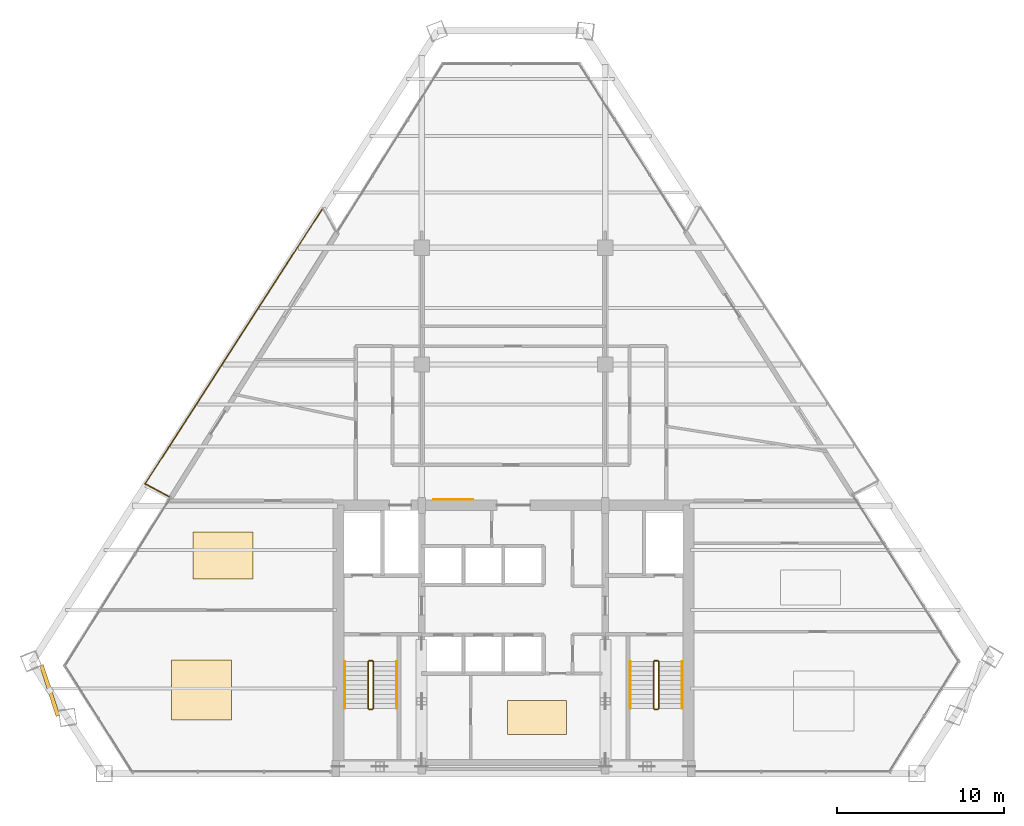
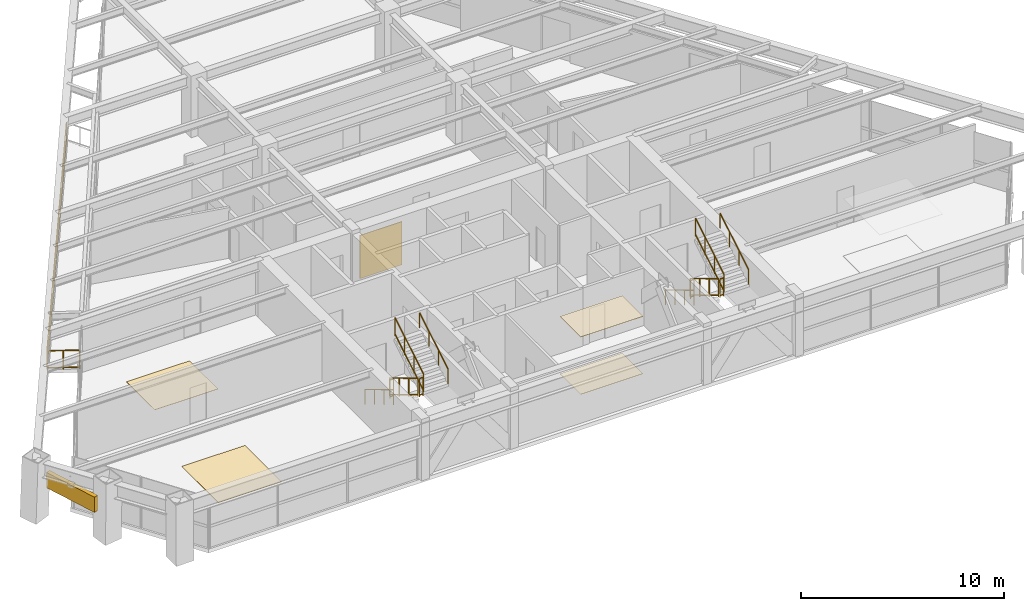
# One storey, part 14 of 15: 14 railings, 5 coverings, 1 shading device.
"""IFC4 building model written with IfcOpenShell, lengths in metres."""

from ifc_helpers import new_model, si_unit, direction, frame, origin, origin_2d, place, context, subcontext, project, spatial, rectangle, extrude, source, transform, mapped, material, layer, layer_set, type_object, type_shapes, element, save


model = new_model("IFC4")

# Units and contexts
model_context = context("Model", 3, precision=1e-05, world=origin(), true_north=direction((0.0, 1.0)))
body_context = subcontext(model_context, "Body", "Model", "MODEL_VIEW")
ifc_project = project(units=[si_unit("LENGTHUNIT", "METRE"), si_unit("AREAUNIT", "SQUARE_METRE"), si_unit("VOLUMEUNIT", "CUBIC_METRE"), si_unit("PLANEANGLEUNIT", "RADIAN"), si_unit("MASSUNIT", "GRAM", prefix="KILO")], contexts=[model_context])

# Site, building, storey
site_placement = place(None, origin())
site = spatial("IfcSite", under=ifc_project, at=site_placement, CompositionType="ELEMENT")
building_placement = place(site_placement, origin())
building = spatial("IfcBuilding", under=site, at=building_placement, Name="Varnakhor Terracotta Tower", CompositionType="ELEMENT")
storey_placement = place(building_placement, frame((0.0, 0.0, 174.699951171875)))
storey = spatial("IfcBuildingStorey", under=building, at=storey_placement, Name="L44", CompositionType="ELEMENT", Elevation=174.699951171875)

# Railings
ifc_material_1 = material(Name="Stainless Steel & Laminated Glass Guardrail", Category="steel")
railing_type_1 = type_object("IfcRailingType", Name="RLG-LOGGIA-GUARD-1150", PredefinedType="GUARDRAIL", material=ifc_material_1)
railing_1_placement = place(storey_placement, frame((-20.637939453125, 16.588623046875, 0.0)))
element("IfcRailing", 1, at=railing_1_placement, inside=storey, type_object=railing_type_1, Name="L44 W Loggia Glass Guard 1", PredefinedType="GUARDRAIL", context=body_context, shape_type="SweptSolid", body=[
    extrude(rectangle(XDim=0.048095703125, YDim=0.048095703125, at=origin_2d()), frame((0.0, 0.0, 1.1259765625), z_axis=(-0.878638269249, 0.477488001747, 0.0), x_axis=(-0.477488001747, -0.878638269249, 0.0)), (0.0, 0.0, 1.0), 1.6181640625),
    extrude(rectangle(XDim=0.048095703125, YDim=0.048095703125, at=origin_2d()), frame((0.0, 0.0, 0.10009765625), z_axis=(-0.878638269249, 0.477488001747, 0.0), x_axis=(-0.477488001747, -0.878638269249, 0.0)), (0.0, 0.0, 1.0), 1.6181640625),
    extrude(rectangle(XDim=0.0419921875, YDim=0.0419921875, at=origin_2d()), origin(), (0.0, 0.0, 1.0), 1.101806640625),
    extrude(rectangle(XDim=0.0419921875, YDim=0.0419921875, at=origin_2d()), frame((-0.7109375, 0.38623046875, 0.0)), (0.0, 0.0, 1.0), 1.101806640625),
    extrude(rectangle(XDim=0.0419921875, YDim=0.0419921875, at=origin_2d()), frame((-1.421875, 0.772705078125, 0.0)), (0.0, 0.0, 1.0), 1.101806640625),
])
railing_2_placement = place(storey_placement, frame((-22.059814453125, 17.361328125, 0.0)))
element("IfcRailing", 2, at=railing_2_placement, inside=storey, type_object=railing_type_1, Name="L44 W Loggia Glass Guard 2", PredefinedType="GUARDRAIL", context=body_context, shape_type="SweptSolid", body=[
    extrude(rectangle(XDim=0.048095703125, YDim=0.048095703125, at=origin_2d()), frame((0.0, 0.0, 1.1259765625), z_axis=(0.541795868925, 0.840510104886, 0.0), x_axis=(-0.840510104887, 0.541795868925, 0.0)), (0.0, 0.0, 1.0), 19.625244140625),
    extrude(rectangle(XDim=0.048095703125, YDim=0.048095703125, at=origin_2d()), frame((0.0, 0.0, 0.10009765625), z_axis=(0.541795868925, 0.840510104886, 0.0), x_axis=(-0.840510104887, 0.541795868925, 0.0)), (0.0, 0.0, 1.0), 19.625244140625),
    extrude(rectangle(XDim=0.0419921875, YDim=0.0419921875, at=origin_2d()), origin(), (0.0, 0.0, 1.0), 1.101806640625),
    extrude(rectangle(XDim=0.0419921875, YDim=0.0419921875, at=origin_2d()), frame((0.708740234375, 1.099609375, 0.0)), (0.0, 0.0, 1.0), 1.101806640625),
    extrude(rectangle(XDim=0.0419921875, YDim=0.0419921875, at=origin_2d()), frame((1.417724609375, 2.199462890625, 0.0)), (0.0, 0.0, 1.0), 1.101806640625),
    extrude(rectangle(XDim=0.0419921875, YDim=0.0419921875, at=origin_2d()), frame((2.12646484375, 3.299072265625, 0.0)), (0.0, 0.0, 1.0), 1.101806640625),
    extrude(rectangle(XDim=0.0419921875, YDim=0.0419921875, at=origin_2d()), frame((2.83544921875, 4.398681640625, 0.0)), (0.0, 0.0, 1.0), 1.101806640625),
    extrude(rectangle(XDim=0.0419921875, YDim=0.0419921875, at=origin_2d()), frame((3.544189453125, 5.498291015625, 0.0)), (0.0, 0.0, 1.0), 1.101806640625),
    extrude(rectangle(XDim=0.0419921875, YDim=0.0419921875, at=origin_2d()), frame((4.253173828125, 6.59814453125, 0.0)), (0.0, 0.0, 1.0), 1.101806640625),
    extrude(rectangle(XDim=0.0419921875, YDim=0.0419921875, at=origin_2d()), frame((4.9619140625, 7.69775390625, 0.0)), (0.0, 0.0, 1.0), 1.101806640625),
    extrude(rectangle(XDim=0.0419921875, YDim=0.0419921875, at=origin_2d()), frame((5.6708984375, 8.79736328125, 0.0)), (0.0, 0.0, 1.0), 1.101806640625),
    extrude(rectangle(XDim=0.0419921875, YDim=0.0419921875, at=origin_2d()), frame((6.379638671875, 9.89697265625, 0.0)), (0.0, 0.0, 1.0), 1.101806640625),
    extrude(rectangle(XDim=0.0419921875, YDim=0.0419921875, at=origin_2d()), frame((7.088623046875, 10.996826171875, 0.0)), (0.0, 0.0, 1.0), 1.101806640625),
    extrude(rectangle(XDim=0.0419921875, YDim=0.0419921875, at=origin_2d()), frame((7.79736328125, 12.096435546875, 0.0)), (0.0, 0.0, 1.0), 1.101806640625),
    extrude(rectangle(XDim=0.0419921875, YDim=0.0419921875, at=origin_2d()), frame((8.50634765625, 13.196044921875, 0.0)), (0.0, 0.0, 1.0), 1.101806640625),
    extrude(rectangle(XDim=0.0419921875, YDim=0.0419921875, at=origin_2d()), frame((9.215087890625, 14.295654296875, 0.0)), (0.0, 0.0, 1.0), 1.101806640625),
    extrude(rectangle(XDim=0.0419921875, YDim=0.0419921875, at=origin_2d()), frame((9.924072265625, 15.3955078125, 0.0)), (0.0, 0.0, 1.0), 1.101806640625),
    extrude(rectangle(XDim=0.0419921875, YDim=0.0419921875, at=origin_2d()), frame((10.6328125, 16.4951171875, 0.0)), (0.0, 0.0, 1.0), 1.101806640625),
])
ifc_material_2 = material(Name="Painted Steel Stairwell Guardrail", Category="steel")
railing_type_2 = type_object("IfcRailingType", Name="RLG-STAIR-GUARD-1120", PredefinedType="GUARDRAIL", material=ifc_material_2)
railing_3_placement = place(storey_placement, frame((-8.699951171875, 6.7099609375, 0.168212890625)))
element("IfcRailing", 3, at=railing_3_placement, inside=storey, type_object=railing_type_2, Name="L44 ST-1 stair guard 1", PredefinedType="GUARDRAIL", context=body_context, shape_type="SweptSolid", body=[
    extrude(rectangle(XDim=0.048095703125, YDim=0.048095703125, at=origin_2d()), frame((0.0, 0.0, 1.09619140625), z_axis=(0.0, -0.857242210791, 0.514913383045), x_axis=(1.0, 0.0, 0.0)), (0.0, 0.0, 1.0), 3.266357421875),
    extrude(rectangle(XDim=0.048095703125, YDim=0.048095703125, at=origin_2d()), frame((0.0, 0.0, 0.10009765625), z_axis=(0.0, -0.857242210791, 0.514913383045), x_axis=(1.0, 0.0, 0.0)), (0.0, 0.0, 1.0), 3.266357421875),
    extrude(rectangle(XDim=0.0419921875, YDim=0.0419921875, at=origin_2d()), origin(), (0.0, 0.0, 1.0), 1.072021484375),
    extrude(rectangle(XDim=0.0419921875, YDim=0.0419921875, at=origin_2d()), frame((0.0, -0.933349609375, 0.560546875)), (0.0, 0.0, 1.0), 1.072021484375),
    extrude(rectangle(XDim=0.0419921875, YDim=0.0419921875, at=origin_2d()), frame((0.0, -1.86669921875, 1.121337890625)), (0.0, 0.0, 1.0), 1.072021484375),
    extrude(rectangle(XDim=0.0419921875, YDim=0.0419921875, at=origin_2d()), frame((0.0, -2.800048828125, 1.681884765625)), (0.0, 0.0, 1.0), 1.072021484375),
])
railing_4_placement = place(storey_placement, frame((-8.64990234375, 3.860107421875, 1.85009765625)))
element("IfcRailing", 4, at=railing_4_placement, inside=storey, type_object=railing_type_2, Name="L44 ST-1 stair guard 2", PredefinedType="GUARDRAIL", context=body_context, shape_type="SweptSolid", body=[
    extrude(rectangle(XDim=0.048095703125, YDim=0.048095703125, at=origin_2d()), frame((0.0, 0.0, 1.09619140625), z_axis=(1.0, 0.0, 0.0), x_axis=(0.0, 1.0, 0.0)), (0.0, 0.0, 1.0), 0.199951171875),
    extrude(rectangle(XDim=0.048095703125, YDim=0.048095703125, at=origin_2d()), frame((0.0, 0.0, 0.10009765625), z_axis=(1.0, 0.0, 0.0), x_axis=(0.0, 1.0, 0.0)), (0.0, 0.0, 1.0), 0.199951171875),
    extrude(rectangle(XDim=0.0419921875, YDim=0.0419921875, at=origin_2d()), origin(), (0.0, 0.0, 1.0), 1.072021484375),
    extrude(rectangle(XDim=0.0419921875, YDim=0.0419921875, at=origin_2d()), frame((0.199951171875, 0.0, 0.0)), (0.0, 0.0, 1.0), 1.072021484375),
])
railing_5_placement = place(storey_placement, frame((-8.39990234375, 3.909912109375, 2.018310546875)))
element("IfcRailing", 5, at=railing_5_placement, inside=storey, type_object=railing_type_2, Name="L44 ST-1 stair guard 3", PredefinedType="GUARDRAIL", context=body_context, shape_type="SweptSolid", body=[
    extrude(rectangle(XDim=0.048095703125, YDim=0.048095703125, at=origin_2d()), frame((0.0, 0.0, 1.09619140625), z_axis=(0.0, 0.857275202839, 0.514858452973), x_axis=(-1.0, 0.0, 0.0)), (0.0, 0.0, 1.0), 3.26611328125),
    extrude(rectangle(XDim=0.048095703125, YDim=0.048095703125, at=origin_2d()), frame((0.0, 0.0, 0.10009765625), z_axis=(0.0, 0.857275202839, 0.514858452973), x_axis=(-1.0, 0.0, 0.0)), (0.0, 0.0, 1.0), 3.26611328125),
    extrude(rectangle(XDim=0.0419921875, YDim=0.0419921875, at=origin_2d()), origin(), (0.0, 0.0, 1.0), 1.072021484375),
    extrude(rectangle(XDim=0.0419921875, YDim=0.0419921875, at=origin_2d()), frame((0.0, 0.933349609375, 0.560546875)), (0.0, 0.0, 1.0), 1.072021484375),
    extrude(rectangle(XDim=0.0419921875, YDim=0.0419921875, at=origin_2d()), frame((0.0, 1.86669921875, 1.12109375)), (0.0, 0.0, 1.0), 1.072021484375),
    extrude(rectangle(XDim=0.0419921875, YDim=0.0419921875, at=origin_2d()), frame((0.0, 2.800048828125, 1.681640625)), (0.0, 0.0, 1.0), 1.072021484375),
])
railing_6_placement = place(storey_placement, frame((-8.64990234375, 6.760009765625, 0.0)))
element("IfcRailing", 6, at=railing_6_placement, inside=storey, type_object=railing_type_2, Name="L44 ST-1 stair guard 4", PredefinedType="GUARDRAIL", context=body_context, shape_type="SweptSolid", body=[
    extrude(rectangle(XDim=0.048095703125, YDim=0.048095703125, at=origin_2d()), frame((0.0, 0.0, 1.09619140625), z_axis=(1.0, 0.0, 0.0), x_axis=(0.0, 1.0, 0.0)), (0.0, 0.0, 1.0), 0.199951171875),
    extrude(rectangle(XDim=0.048095703125, YDim=0.048095703125, at=origin_2d()), frame((0.0, 0.0, 0.10009765625), z_axis=(1.0, 0.0, 0.0), x_axis=(0.0, 1.0, 0.0)), (0.0, 0.0, 1.0), 0.199951171875),
    extrude(rectangle(XDim=0.0419921875, YDim=0.0419921875, at=origin_2d()), origin(), (0.0, 0.0, 1.0), 1.072021484375),
    extrude(rectangle(XDim=0.0419921875, YDim=0.0419921875, at=origin_2d()), frame((0.199951171875, 0.0, 0.0)), (0.0, 0.0, 1.0), 1.072021484375),
])
railing_7_placement = place(storey_placement, frame((8.39990234375, 6.7099609375, 0.168212890625)))
element("IfcRailing", 7, at=railing_7_placement, inside=storey, type_object=railing_type_2, Name="L44 ST-2 stair guard 1", PredefinedType="GUARDRAIL", context=body_context, shape_type="SweptSolid", body=[
    extrude(rectangle(XDim=0.048095703125, YDim=0.048095703125, at=origin_2d()), frame((0.0, 0.0, 1.09619140625), z_axis=(0.0, -0.857242210791, 0.514913383045), x_axis=(1.0, 0.0, 0.0)), (0.0, 0.0, 1.0), 3.266357421875),
    extrude(rectangle(XDim=0.048095703125, YDim=0.048095703125, at=origin_2d()), frame((0.0, 0.0, 0.10009765625), z_axis=(0.0, -0.857242210791, 0.514913383045), x_axis=(1.0, 0.0, 0.0)), (0.0, 0.0, 1.0), 3.266357421875),
    extrude(rectangle(XDim=0.0419921875, YDim=0.0419921875, at=origin_2d()), origin(), (0.0, 0.0, 1.0), 1.072021484375),
    extrude(rectangle(XDim=0.0419921875, YDim=0.0419921875, at=origin_2d()), frame((0.0, -0.933349609375, 0.560546875)), (0.0, 0.0, 1.0), 1.072021484375),
    extrude(rectangle(XDim=0.0419921875, YDim=0.0419921875, at=origin_2d()), frame((0.0, -1.86669921875, 1.121337890625)), (0.0, 0.0, 1.0), 1.072021484375),
    extrude(rectangle(XDim=0.0419921875, YDim=0.0419921875, at=origin_2d()), frame((0.0, -2.800048828125, 1.681884765625)), (0.0, 0.0, 1.0), 1.072021484375),
])
railing_8_placement = place(storey_placement, frame((8.449951171875, 3.860107421875, 1.85009765625)))
element("IfcRailing", 8, at=railing_8_placement, inside=storey, type_object=railing_type_2, Name="L44 ST-2 stair guard 2", PredefinedType="GUARDRAIL", context=body_context, shape_type="SweptSolid", body=[
    extrude(rectangle(XDim=0.048095703125, YDim=0.048095703125, at=origin_2d()), frame((0.0, 0.0, 1.09619140625), z_axis=(1.0, 0.0, 0.0), x_axis=(0.0, 1.0, 0.0)), (0.0, 0.0, 1.0), 0.199951171875),
    extrude(rectangle(XDim=0.048095703125, YDim=0.048095703125, at=origin_2d()), frame((0.0, 0.0, 0.10009765625), z_axis=(1.0, 0.0, 0.0), x_axis=(0.0, 1.0, 0.0)), (0.0, 0.0, 1.0), 0.199951171875),
    extrude(rectangle(XDim=0.0419921875, YDim=0.0419921875, at=origin_2d()), origin(), (0.0, 0.0, 1.0), 1.072021484375),
    extrude(rectangle(XDim=0.0419921875, YDim=0.0419921875, at=origin_2d()), frame((0.199951171875, 0.0, 0.0)), (0.0, 0.0, 1.0), 1.072021484375),
])
railing_9_placement = place(storey_placement, frame((8.699951171875, 3.909912109375, 2.018310546875)))
element("IfcRailing", 9, at=railing_9_placement, inside=storey, type_object=railing_type_2, Name="L44 ST-2 stair guard 3", PredefinedType="GUARDRAIL", context=body_context, shape_type="SweptSolid", body=[
    extrude(rectangle(XDim=0.048095703125, YDim=0.048095703125, at=origin_2d()), frame((0.0, 0.0, 1.09619140625), z_axis=(0.0, 0.857275202839, 0.514858452973), x_axis=(-1.0, 0.0, 0.0)), (0.0, 0.0, 1.0), 3.26611328125),
    extrude(rectangle(XDim=0.048095703125, YDim=0.048095703125, at=origin_2d()), frame((0.0, 0.0, 0.10009765625), z_axis=(0.0, 0.857275202839, 0.514858452973), x_axis=(-1.0, 0.0, 0.0)), (0.0, 0.0, 1.0), 3.26611328125),
    extrude(rectangle(XDim=0.0419921875, YDim=0.0419921875, at=origin_2d()), origin(), (0.0, 0.0, 1.0), 1.072021484375),
    extrude(rectangle(XDim=0.0419921875, YDim=0.0419921875, at=origin_2d()), frame((0.0, 0.933349609375, 0.560546875)), (0.0, 0.0, 1.0), 1.072021484375),
    extrude(rectangle(XDim=0.0419921875, YDim=0.0419921875, at=origin_2d()), frame((0.0, 1.86669921875, 1.12109375)), (0.0, 0.0, 1.0), 1.072021484375),
    extrude(rectangle(XDim=0.0419921875, YDim=0.0419921875, at=origin_2d()), frame((0.0, 2.800048828125, 1.681640625)), (0.0, 0.0, 1.0), 1.072021484375),
])
railing_10_placement = place(storey_placement, frame((8.449951171875, 6.760009765625, 0.0)))
element("IfcRailing", 10, at=railing_10_placement, inside=storey, type_object=railing_type_2, Name="L44 ST-2 stair guard 4", PredefinedType="GUARDRAIL", context=body_context, shape_type="SweptSolid", body=[
    extrude(rectangle(XDim=0.048095703125, YDim=0.048095703125, at=origin_2d()), frame((0.0, 0.0, 1.09619140625), z_axis=(1.0, 0.0, 0.0), x_axis=(0.0, 1.0, 0.0)), (0.0, 0.0, 1.0), 0.199951171875),
    extrude(rectangle(XDim=0.048095703125, YDim=0.048095703125, at=origin_2d()), frame((0.0, 0.0, 0.10009765625), z_axis=(1.0, 0.0, 0.0), x_axis=(0.0, 1.0, 0.0)), (0.0, 0.0, 1.0), 0.199951171875),
    extrude(rectangle(XDim=0.0419921875, YDim=0.0419921875, at=origin_2d()), origin(), (0.0, 0.0, 1.0), 1.072021484375),
    extrude(rectangle(XDim=0.0419921875, YDim=0.0419921875, at=origin_2d()), frame((0.199951171875, 0.0, 0.0)), (0.0, 0.0, 1.0), 1.072021484375),
])
ifc_material_3 = material(Name="Brushed Stainless Steel Handrail", Category="steel")
railing_type_3 = type_object("IfcRailingType", Name="RLG-STAIR-HANDRAIL-920", PredefinedType="HANDRAIL", material=ifc_material_3)
railing_11_placement = place(storey_placement, frame((-10.10009765625, 6.7099609375, 0.168212890625)))
element("IfcRailing", 11, at=railing_11_placement, inside=storey, type_object=railing_type_3, Name="L44 ST-1 stair handrail 1", PredefinedType="HANDRAIL", context=body_context, shape_type="SweptSolid", body=[
    extrude(rectangle(XDim=0.048095703125, YDim=0.048095703125, at=origin_2d()), frame((0.0, 0.0, 0.89599609375), z_axis=(0.0, -0.857242210791, 0.514913383045), x_axis=(1.0, 0.0, 0.0)), (0.0, 0.0, 1.0), 3.266357421875),
    extrude(rectangle(XDim=0.0419921875, YDim=0.0419921875, at=origin_2d()), origin(), (0.0, 0.0, 1.0), 0.871826171875),
    extrude(rectangle(XDim=0.0419921875, YDim=0.0419921875, at=origin_2d()), frame((0.0, -0.933349609375, 0.560546875)), (0.0, 0.0, 1.0), 0.871826171875),
    extrude(rectangle(XDim=0.0419921875, YDim=0.0419921875, at=origin_2d()), frame((0.0, -1.86669921875, 1.121337890625)), (0.0, 0.0, 1.0), 0.871826171875),
    extrude(rectangle(XDim=0.0419921875, YDim=0.0419921875, at=origin_2d()), frame((0.0, -2.800048828125, 1.681884765625)), (0.0, 0.0, 1.0), 0.871826171875),
])
railing_12_placement = place(storey_placement, frame((-7.0, 3.909912109375, 2.018310546875)))
element("IfcRailing", 12, at=railing_12_placement, inside=storey, type_object=railing_type_3, Name="L44 ST-1 stair handrail 2", PredefinedType="HANDRAIL", context=body_context, shape_type="SweptSolid", body=[
    extrude(rectangle(XDim=0.048095703125, YDim=0.048095703125, at=origin_2d()), frame((0.0, 0.0, 0.89599609375), z_axis=(0.0, 0.857275202839, 0.514858452973), x_axis=(-1.0, 0.0, 0.0)), (0.0, 0.0, 1.0), 3.26611328125),
    extrude(rectangle(XDim=0.0419921875, YDim=0.0419921875, at=origin_2d()), origin(), (0.0, 0.0, 1.0), 0.871826171875),
    extrude(rectangle(XDim=0.0419921875, YDim=0.0419921875, at=origin_2d()), frame((0.0, 0.933349609375, 0.560546875)), (0.0, 0.0, 1.0), 0.871826171875),
    extrude(rectangle(XDim=0.0419921875, YDim=0.0419921875, at=origin_2d()), frame((0.0, 1.86669921875, 1.12109375)), (0.0, 0.0, 1.0), 0.871826171875),
    extrude(rectangle(XDim=0.0419921875, YDim=0.0419921875, at=origin_2d()), frame((0.0, 2.800048828125, 1.681640625)), (0.0, 0.0, 1.0), 0.871826171875),
])
railing_13_placement = place(storey_placement, frame((7.0, 6.7099609375, 0.168212890625)))
element("IfcRailing", 13, at=railing_13_placement, inside=storey, type_object=railing_type_3, Name="L44 ST-2 stair handrail 1", PredefinedType="HANDRAIL", context=body_context, shape_type="SweptSolid", body=[
    extrude(rectangle(XDim=0.048095703125, YDim=0.048095703125, at=origin_2d()), frame((0.0, 0.0, 0.89599609375), z_axis=(0.0, -0.857242210791, 0.514913383045), x_axis=(1.0, 0.0, 0.0)), (0.0, 0.0, 1.0), 3.266357421875),
    extrude(rectangle(XDim=0.0419921875, YDim=0.0419921875, at=origin_2d()), origin(), (0.0, 0.0, 1.0), 0.871826171875),
    extrude(rectangle(XDim=0.0419921875, YDim=0.0419921875, at=origin_2d()), frame((0.0, -0.933349609375, 0.560546875)), (0.0, 0.0, 1.0), 0.871826171875),
    extrude(rectangle(XDim=0.0419921875, YDim=0.0419921875, at=origin_2d()), frame((0.0, -1.86669921875, 1.121337890625)), (0.0, 0.0, 1.0), 0.871826171875),
    extrude(rectangle(XDim=0.0419921875, YDim=0.0419921875, at=origin_2d()), frame((0.0, -2.800048828125, 1.681884765625)), (0.0, 0.0, 1.0), 0.871826171875),
])
railing_14_placement = place(storey_placement, frame((10.10009765625, 3.909912109375, 2.018310546875)))
element("IfcRailing", 14, at=railing_14_placement, inside=storey, type_object=railing_type_3, Name="L44 ST-2 stair handrail 2", PredefinedType="HANDRAIL", context=body_context, shape_type="SweptSolid", body=[
    extrude(rectangle(XDim=0.048095703125, YDim=0.048095703125, at=origin_2d()), frame((0.0, 0.0, 0.89599609375), z_axis=(0.0, 0.857275202839, 0.514858452973), x_axis=(-1.0, 0.0, 0.0)), (0.0, 0.0, 1.0), 3.26611328125),
    extrude(rectangle(XDim=0.0419921875, YDim=0.0419921875, at=origin_2d()), origin(), (0.0, 0.0, 1.0), 0.871826171875),
    extrude(rectangle(XDim=0.0419921875, YDim=0.0419921875, at=origin_2d()), frame((0.0, 0.933349609375, 0.560546875)), (0.0, 0.0, 1.0), 0.871826171875),
    extrude(rectangle(XDim=0.0419921875, YDim=0.0419921875, at=origin_2d()), frame((0.0, 1.86669921875, 1.12109375)), (0.0, 0.0, 1.0), 0.871826171875),
    extrude(rectangle(XDim=0.0419921875, YDim=0.0419921875, at=origin_2d()), frame((0.0, 2.800048828125, 1.681640625)), (0.0, 0.0, 1.0), 0.871826171875),
])

# Shading device
ifc_material_4 = material(Name="Extruded Architectural Terracotta Screen", Category="masonry")
shading_device_type = type_object("IfcShadingDeviceType", Name="TERRACOTTA SOLAR SCREEN W", PredefinedType="USERDEFINED", material=ifc_material_4)
shared_shape_1 = source(origin(), body_context, "Body", "SweptSolid", [
    extrude(rectangle(XDim=3.199951171875, YDim=0.239990234375, at=origin_2d()), origin(), (0.0, 0.0, 1.0), 0.919921875),
])
type_shapes(shading_device_type, [shared_shape_1])
shading_device_placement = place(storey_placement, frame((-27.77734375, 4.978271484375, 1.710205078125), z_axis=(0.0, 0.0, 1.0), x_axis=(0.309730667189, -0.95082433383, 0.0)))
element("IfcShadingDevice", 15, at=shading_device_placement, inside=storey, type_object=shading_device_type, Name="L44 W Terracotta Solar Screen", ObjectType="SCREEN", PredefinedType="USERDEFINED", context=body_context, shape_type="MappedRepresentation", body=[
    mapped(shared_shape_1, transform((0.0, 0.0, 0.0), scale=1.0)),
])

# Coverings
ifc_material_5 = material(Name="Extruded Architectural Terracotta Cladding", Category="masonry")
ifc_layer_1 = layer(ifc_material_5, 0.044921875, Name="Extruded Architectural Terracotta Cladding")
ifc_layer_set_1 = layer_set([ifc_layer_1], Name="Extruded Architectural Terracotta Cladding")
covering_type_1 = type_object("IfcCoveringType", Name="COV-CLAD-TERRACOTTA", PredefinedType="CLADDING", material=ifc_layer_set_1)
shared_shape_2 = source(origin(), body_context, "Body", "SweptSolid", [
    extrude(rectangle(XDim=2.39990234375, YDim=0.030029296875, at=origin_2d()), origin(), (0.0, 0.0, 1.0), 2.60009765625),
])
type_shapes(covering_type_1, [shared_shape_2])
covering_1_placement = place(storey_placement, frame((-3.60009765625, 16.412109375, 0.0), z_axis=(0.0, 0.0, 1.0), x_axis=(1.0, 0.0, 0.0)))
element("IfcCovering", 16, at=covering_1_placement, inside=storey, type_object=covering_type_1, Name="L44 Core Lobby Limestone Cladding", PredefinedType="CLADDING", context=body_context, shape_type="MappedRepresentation", body=[
    mapped(shared_shape_2, transform((0.0, 0.0, 0.0), scale=1.0)),
])
ifc_material_6 = material(Name="Honed Riyadh Limestone Flooring", Category="masonry")
ifc_layer_2 = layer(ifc_material_6, 0.030029296875, Name="Honed Riyadh Limestone Flooring")
ifc_layer_set_2 = layer_set([ifc_layer_2], Name="Honed Riyadh Limestone Flooring")
covering_type_2 = type_object("IfcCoveringType", Name="COV-FLOOR-LIMESTONE", PredefinedType="FLOORING", material=ifc_layer_set_2)
shared_shape_3 = source(origin(), body_context, "Body", "SweptSolid", [
    extrude(rectangle(XDim=3.60009765625, YDim=3.60009765625, at=origin_2d()), origin(), (0.0, 0.0, 1.0), 0.02001953125),
])
covering_2_placement = place(storey_placement, frame((-18.681884765625, 5.001953125, 0.0), z_axis=(0.0, 0.0, 1.0), x_axis=(1.0, 0.0, 0.0)))
element("IfcCovering", 17, at=covering_2_placement, inside=storey, type_object=covering_type_2, Name="L44 Honed Stone Flooring 3", PredefinedType="FLOORING", context=body_context, shape_type="MappedRepresentation", body=[
    mapped(shared_shape_3, transform((0.0, 0.0, 0.0), scale=1.0)),
])
shared_shape_4 = source(origin(), body_context, "Body", "SweptSolid", [
    extrude(rectangle(XDim=3.547119140625, YDim=2.041015625, at=origin_2d()), origin(), (0.0, 0.0, 1.0), 0.02001953125),
])
covering_3_placement = place(storey_placement, frame((1.4150390625, 3.35498046875, 0.0), z_axis=(0.0, 0.0, 1.0), x_axis=(1.0, 0.0, 0.0)))
element("IfcCovering", 18, at=covering_3_placement, inside=storey, type_object=covering_type_2, Name="L44 Honed Stone Flooring 1", PredefinedType="FLOORING", context=body_context, shape_type="MappedRepresentation", body=[
    mapped(shared_shape_4, transform((0.0, 0.0, 0.0), scale=1.0)),
])
ifc_material_7 = material(Name="Perforated Acoustic Mineral-Fibre Ceiling", Category="gypsum")
ifc_layer_3 = layer(ifc_material_7, 0.02490234375, Name="Perforated Acoustic Mineral-Fibre Ceiling")
ifc_layer_set_3 = layer_set([ifc_layer_3], Name="Perforated Acoustic Mineral-Fibre Ceiling")
covering_type_3 = type_object("IfcCoveringType", Name="COV-CEILING-ACOUSTIC", PredefinedType="CEILING", material=ifc_layer_set_3)
shared_shape_5 = source(origin(), body_context, "Body", "SweptSolid", [
    extrude(rectangle(XDim=3.547119140625, YDim=2.041015625, at=origin_2d()), origin(), (0.0, 0.0, 1.0), 0.02392578125),
])
covering_4_placement = place(storey_placement, frame((1.4150390625, 3.35498046875, 3.446044921875), z_axis=(0.0, 0.0, 1.0), x_axis=(1.0, 0.0, 0.0)))
element("IfcCovering", 19, at=covering_4_placement, inside=storey, type_object=covering_type_3, Name="L44 Acoustic Ceiling Panel 1", PredefinedType="CEILING", context=body_context, shape_type="MappedRepresentation", body=[
    mapped(shared_shape_5, transform((0.0, 0.0, 0.0), scale=1.0)),
])
shared_shape_6 = source(origin(), body_context, "Body", "SweptSolid", [
    extrude(rectangle(XDim=3.60009765625, YDim=2.7919921875, at=origin_2d()), origin(), (0.0, 0.0, 1.0), 0.02001953125),
])
covering_5_placement = place(storey_placement, frame((-17.408935546875, 13.06396484375, 0.0), z_axis=(0.0, 0.0, 1.0), x_axis=(1.0, 0.0, 0.0)))
element("IfcCovering", 20, at=covering_5_placement, inside=storey, type_object=covering_type_2, Name="L44 Honed Stone Flooring 5", PredefinedType="FLOORING", context=body_context, shape_type="MappedRepresentation", body=[
    mapped(shared_shape_6, transform((0.0, 0.0, 0.0), scale=1.0)),
])

save(model, "model.ifc")
